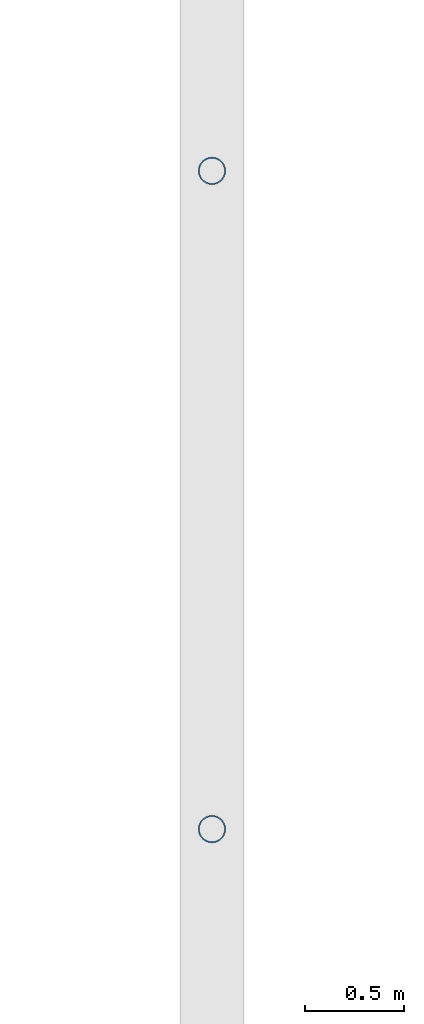
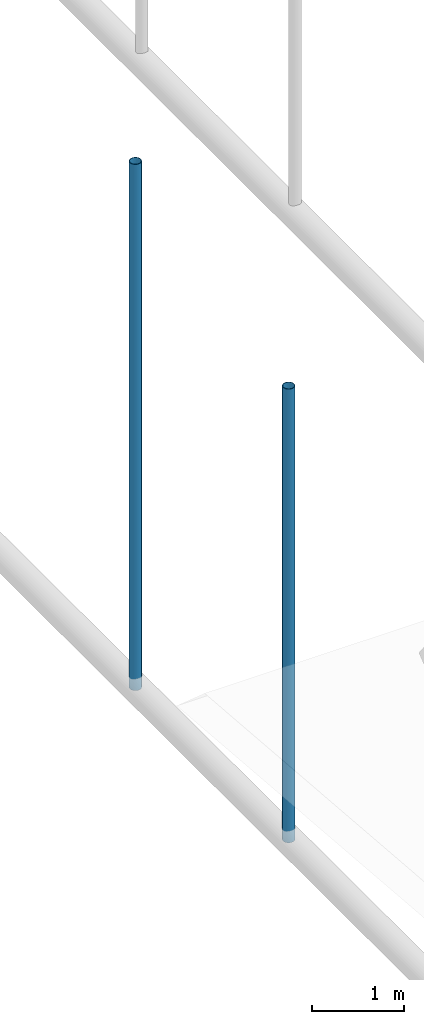
# One storey, part 52 of 116: 2 members.
"""IFC4 building model written with IfcOpenShell, lengths in metres."""

from ifc_helpers import new_model, si_unit, direction, frame, origin, origin_2d, place, context, subcontext, project, spatial, hollow_circle, extrude, material, material_profile, profile_set, type_object, element, save


model = new_model("IFC4")

# Units and contexts
model_context = context("Model", 3, precision=1e-05, world=origin(), true_north=direction((0.0, 1.0)))
body_context = subcontext(model_context, "Body", "Model", "MODEL_VIEW")
ifc_project = project(units=[si_unit("LENGTHUNIT", "METRE"), si_unit("AREAUNIT", "SQUARE_METRE"), si_unit("VOLUMEUNIT", "CUBIC_METRE"), si_unit("PLANEANGLEUNIT", "RADIAN"), si_unit("MASSUNIT", "GRAM", prefix="KILO")], contexts=[model_context])

# Site, building, storey
site_placement = place(None, origin())
site = spatial("IfcSite", under=ifc_project, at=site_placement, CompositionType="ELEMENT")
building_placement = place(site_placement, origin())
building = spatial("IfcBuilding", under=site, at=building_placement, Name="Varnakota Square Police Headquarters", CompositionType="ELEMENT")
storey_placement = place(building_placement, frame((0.0, 0.0, 9.300048828125)))
storey = spatial("IfcBuildingStorey", under=building, at=storey_placement, Name="L02", CompositionType="ELEMENT", Elevation=9.300048828125)

# Members
ifc_material = material(Name="Steel IS 2062 Grade 350", Category="steel")
ifc_material_profile = material_profile(ifc_material, hollow_circle(Radius=0.06982421875, WallThickness=0.006103515625, at=origin_2d()), Name="CHS 139.7x6.0")
ifc_profile_set = profile_set([ifc_material_profile], Name="Steel IS 2062 Grade 350")
member_type = type_object("IfcMemberType", Name="MEM-HNG-CHS139", PredefinedType="STRUT", material=ifc_profile_set)
member_1_placement = place(storey_placement, frame((90.0, 17.20361328125, -0.150146484375), z_axis=(0.0, 0.0, 1.0), x_axis=(1.0, 0.0, 0.0)))
element("IfcMember", 1, at=member_1_placement, inside=storey, type_object=member_type, Name="Barrel vault hanger strut V1-R07-N3", PredefinedType="STRUT", context=body_context, shape_type="SweptSolid", body=[
    extrude(hollow_circle(Radius=0.06982421875, WallThickness=0.006103515625, at=origin_2d()), origin(), (0.0, 0.0, 1.0), 6.035400390625),
])
member_2_placement = place(storey_placement, frame((90.0, 20.54248046875, -0.150146484375), z_axis=(0.0, 0.0, 1.0), x_axis=(1.0, 0.0, 0.0)))
element("IfcMember", 2, at=member_2_placement, inside=storey, type_object=member_type, Name="Barrel vault hanger strut V1-R07-N4", PredefinedType="STRUT", context=body_context, shape_type="SweptSolid", body=[
    extrude(hollow_circle(Radius=0.06982421875, WallThickness=0.006103515625, at=origin_2d()), origin(), (0.0, 0.0, 1.0), 7.0),
])

save(model, "model.ifc")
